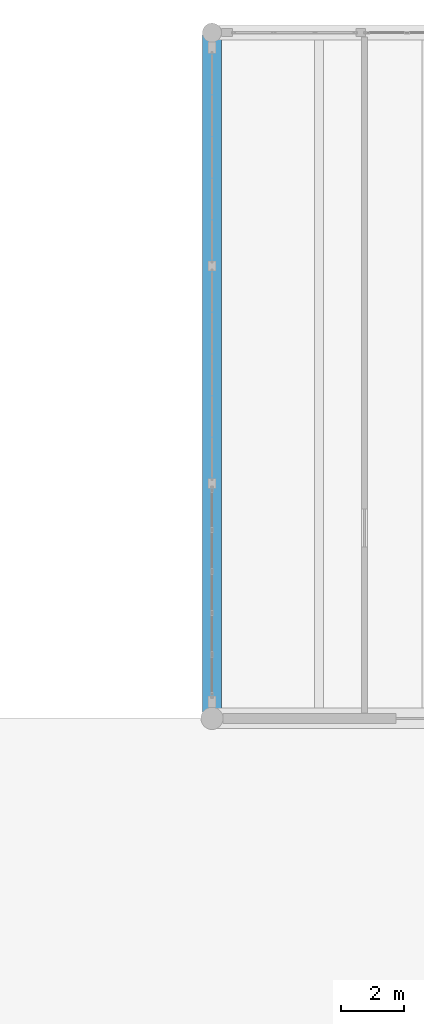
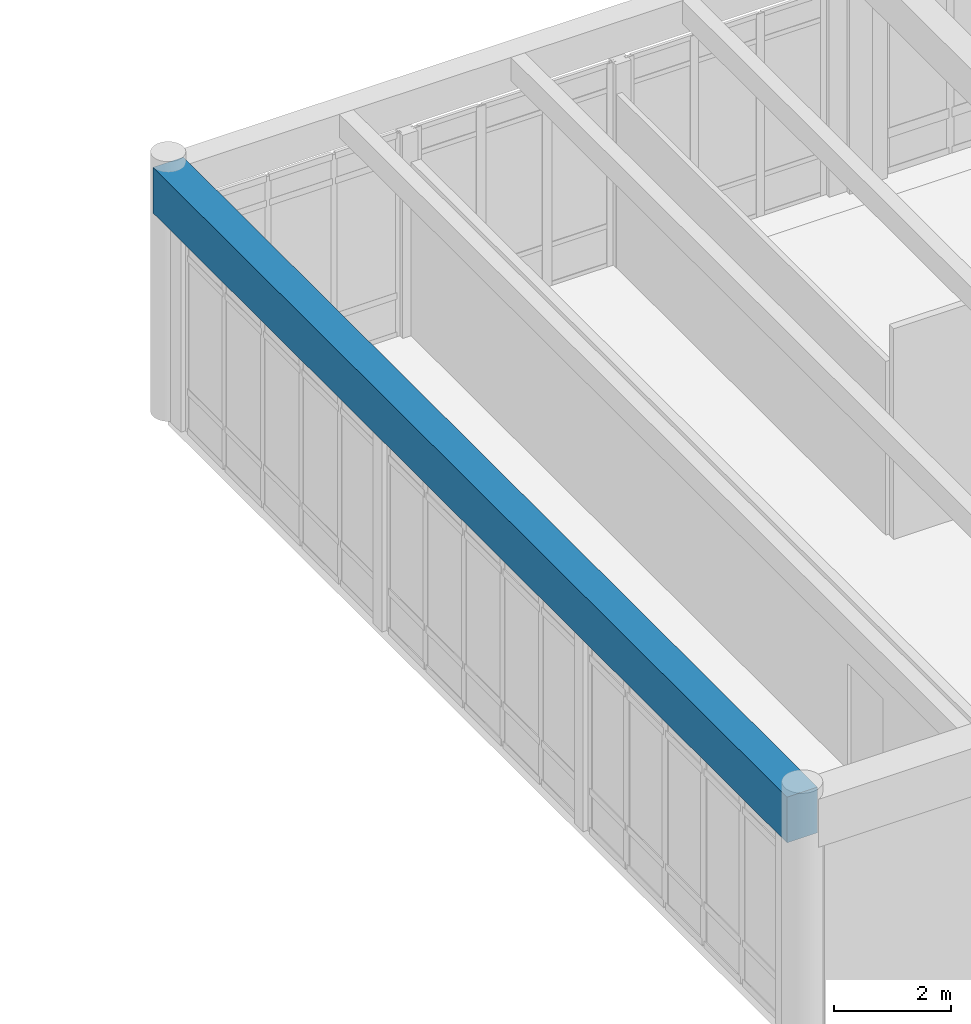
# One storey, part 32 of 138: 1 beam.
"""IFC4 building model written with IfcOpenShell, lengths in metres."""

from ifc_helpers import new_model, si_unit, direction, frame, origin, origin_2d, place, context, subcontext, project, spatial, rectangle, extrude, material, material_profile, profile_set, type_object, element, save


model = new_model("IFC4")

# Units and contexts
model_context = context("Model", 3, precision=1e-05, world=origin(), true_north=direction((0.0, 1.0)))
body_context = subcontext(model_context, "Body", "Model", "MODEL_VIEW")
ifc_project = project(units=[si_unit("LENGTHUNIT", "METRE"), si_unit("AREAUNIT", "SQUARE_METRE"), si_unit("VOLUMEUNIT", "CUBIC_METRE"), si_unit("PLANEANGLEUNIT", "RADIAN"), si_unit("MASSUNIT", "GRAM", prefix="KILO")], contexts=[model_context])

# Site, building, storey
site_placement = place(None, origin())
site = spatial("IfcSite", under=ifc_project, at=site_placement, CompositionType="ELEMENT")
building_placement = place(site_placement, origin())
building = spatial("IfcBuilding", under=site, at=building_placement, Name="Fikremerkos Civic Library", CompositionType="ELEMENT")
storey_placement = place(building_placement, origin())
storey = spatial("IfcBuildingStorey", under=building, at=storey_placement, Name="L00", CompositionType="ELEMENT", Elevation=0.0)

# Beam
ifc_material = material(Name="Concrete C40/50", Category="concrete")
ifc_material_profile = material_profile(ifc_material, rectangle(XDim=0.60009765625, YDim=0.949951171875, at=origin_2d()), Name="RC 600x950")
ifc_profile_set = profile_set([ifc_material_profile], Name="Concrete C40/50")
beam_type = type_object("IfcBeamType", Name="Primary girder BM-01 RC 600x950", PredefinedType="BEAM", material=ifc_profile_set)
beam_placement = place(storey_placement, frame((59.699951171875, 96.0, 4.705078125), z_axis=(0.0, 1.0, 0.0), x_axis=(-1.0, 0.0, 0.0)))
element("IfcBeam", 1, at=beam_placement, inside=storey, type_object=beam_type, Name="Primary girder BM-01 L00 grid 6", PredefinedType="BEAM", context=body_context, shape_type="SweptSolid", body=[
    extrude(rectangle(XDim=0.60009765625, YDim=0.949951171875, at=origin_2d()), origin(), (0.0, 0.0, 1.0), 21.60009765625),
])

save(model, "model.ifc")
